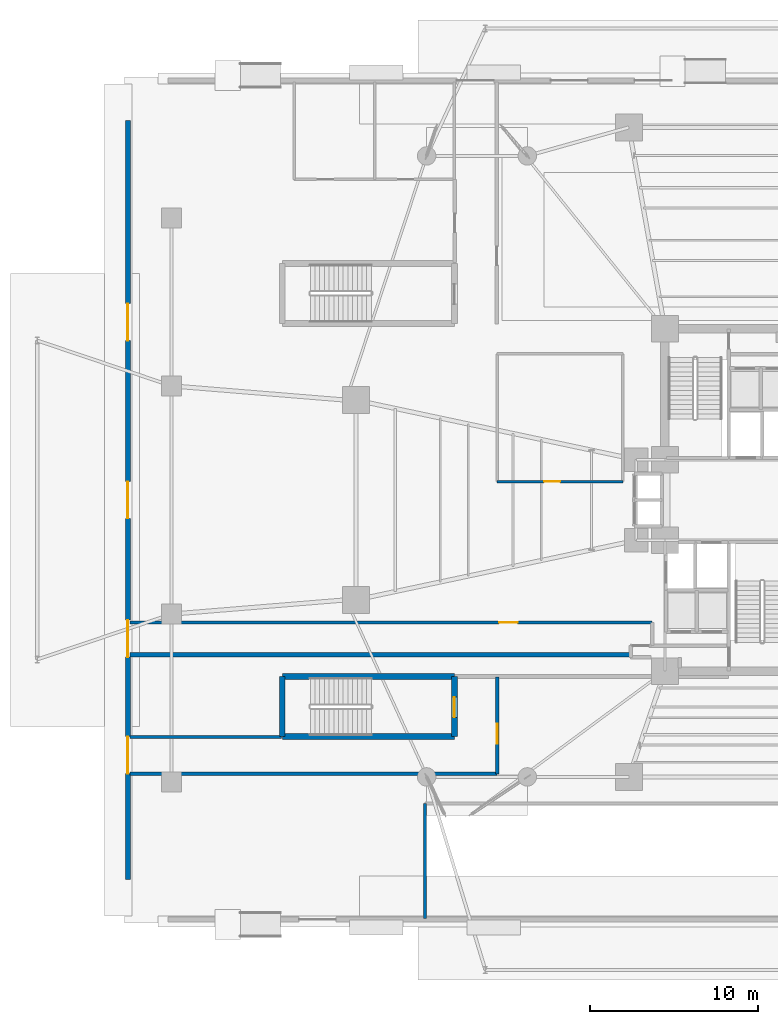
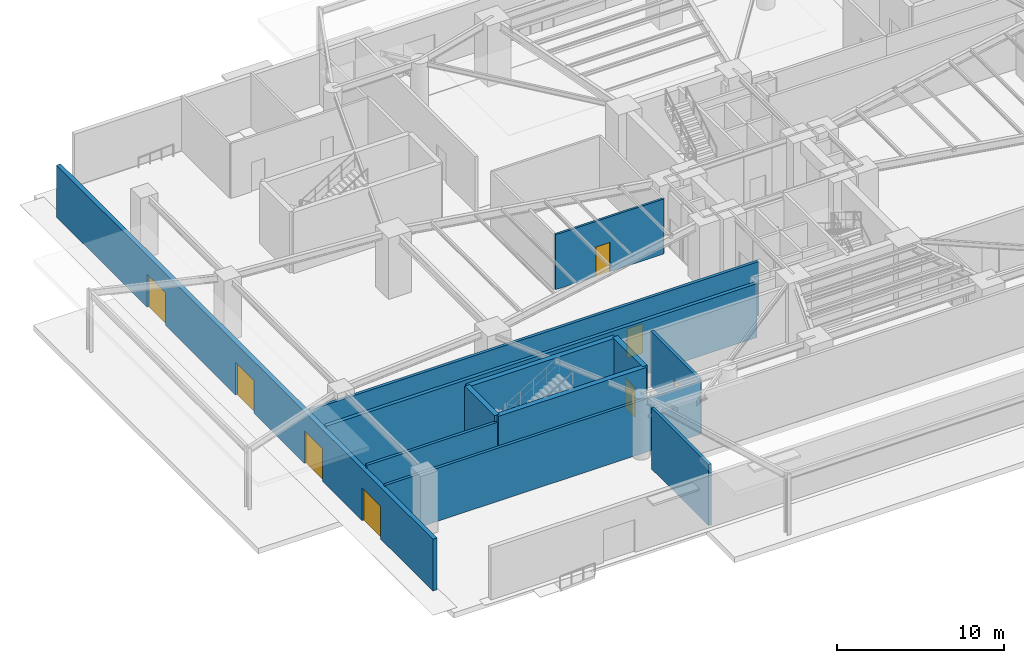
# One storey, part 16 of 31: 12 walls, 8 doors, 8 openings.
"""IFC4 building model written with IfcOpenShell, lengths in metres."""

from ifc_helpers import new_model, si_unit, direction, frame, frame_2d, origin, origin_2d, place, context, subcontext, project, spatial, rectangle, extrude, source, transform, mapped, material, layer, layer_set, type_object, element, fill, save


model = new_model("IFC4")

# Units and contexts
model_context = context("Model", 3, precision=1e-05, world=origin(), true_north=direction((0.0, 1.0)))
body_context = subcontext(model_context, "Body", "Model", "MODEL_VIEW")
ifc_project = project(units=[si_unit("LENGTHUNIT", "METRE"), si_unit("AREAUNIT", "SQUARE_METRE"), si_unit("VOLUMEUNIT", "CUBIC_METRE"), si_unit("PLANEANGLEUNIT", "RADIAN"), si_unit("MASSUNIT", "GRAM", prefix="KILO")], contexts=[model_context])

# Site, building, storey
site_placement = place(None, origin())
site = spatial("IfcSite", under=ifc_project, at=site_placement, CompositionType="ELEMENT")
building_placement = place(site_placement, origin())
building = spatial("IfcBuilding", under=site, at=building_placement, Name="Sahyath Konkavel Grand Hotel", CompositionType="ELEMENT")
storey_placement = place(building_placement, origin())
storey = spatial("IfcBuildingStorey", under=building, at=storey_placement, Name="L00", CompositionType="ELEMENT", Elevation=0.0)

# Walls
ifc_material_1 = material(Name="Concrete C40/50", Category="concrete")
ifc_layer_1 = layer(ifc_material_1, 0.35009765625)
ifc_layer_set_1 = layer_set([ifc_layer_1], Name="Concrete C40/50")
wall_type_1 = type_object("IfcWallType", Name="CWALL-350", PredefinedType="SHEAR", material=ifc_layer_set_1)
for number, where, z_axis, x_axis, name in (
    (1, (-26.60009765625, -10.52001953125, 0.0), (0.0, 0.0, 1.0), (1.0, 0.0, 0.0), "L00 Partition ST-P3-N"),
    (2, (-26.60009765625, -14.10009765625, 0.0), (0.0, 0.0, 1.0), (1.0, 0.0, 0.0), "L00 Partition ST-P3-S"),
):
    element("IfcWall", number, at=place(storey_placement, frame(where, z_axis=z_axis, x_axis=x_axis)), inside=storey, type_object=wall_type_1, Name=name, PredefinedType="SHEAR", context=body_context, shape_type="SweptSolid", body=[
        extrude(rectangle(XDim=10.25, YDim=0.35009765625, at=frame_2d((5.125, 0.0))), origin(), (0.0, 0.0, 1.0), 4.47998046875),
    ])
wall_1_placement = place(storey_placement, frame((-26.60009765625, -14.10009765625, 0.0), z_axis=(0.0, 0.0, 1.0), x_axis=(0.0, 1.0, 0.0)))
element("IfcWall", 3, at=wall_1_placement, inside=storey, type_object=wall_type_1, Name="L00 Partition ST-P3-W", PredefinedType="SHEAR", context=body_context, shape_type="SweptSolid", body=[
    extrude(rectangle(XDim=3.580078125, YDim=0.35009765625, at=frame_2d((1.7900390625, 0.0))), origin(), (0.0, 0.0, 1.0), 4.47998046875),
])

# Wall, opening, door
wall_2_placement = place(storey_placement, frame((-16.35009765625, -14.10009765625, 0.0), z_axis=(0.0, 0.0, 1.0), x_axis=(0.0, 1.0, 0.0)))
wall_2 = element("IfcWall", 4, at=wall_2_placement, inside=storey, type_object=wall_type_1, Name="L00 Partition ST-P3-E", PredefinedType="SHEAR", context=body_context, shape_type="SweptSolid", body=[
    extrude(rectangle(XDim=3.580078125, YDim=0.35009765625, at=frame_2d((1.7900390625, 0.0))), origin(), (0.0, 0.0, 1.0), 4.47998046875),
])
opening_1_placement = place(wall_2_placement, frame((1.14990234375, 0.0, 0.0)))
opening_1 = element("IfcOpeningElement", 5, at=opening_1_placement, cuts=wall_2, Name="Opening D-F12A", PredefinedType="OPENING", context=body_context, shape_type="SweptSolid", body=[
    extrude(rectangle(XDim=1.199951171875, YDim=2.199951171875, at=frame_2d((0.60009765625, 1.10009765625))), frame((0.0, 0.18505859375, 0.0), z_axis=(0.0, -1.0, 0.0), x_axis=(1.0, 0.0, 0.0)), (0.0, 0.0, 1.0), 0.3701171875),
])
ifc_material_2 = material(Name="Steel E350 Fire Door", Category="steel")
door_type_1 = type_object("IfcDoorType", Name="DR-FD120-1200", OperationType="NOTDEFINED", PredefinedType="DOOR", material=ifc_material_2)
shared_shape_1 = source(origin(), body_context, "Body", "SweptSolid", [
    extrude(rectangle(XDim=1.199951171875, YDim=0.050048828125, at=origin_2d()), origin(), (0.0, 0.0, 1.0), 2.199951171875),
])
door_1_placement = place(opening_1_placement, frame((0.60009765625, 0.0, 0.0)))
door_1 = element("IfcDoor", 6, at=door_1_placement, inside=storey, type_object=door_type_1, Name="L00 ST-P3 Fire Door", OperationType="SINGLE_SWING_RIGHT", OverallHeight=2.199951171875, OverallWidth=1.199951171875, PredefinedType="DOOR", context=body_context, shape_type="MappedRepresentation", body=[
    mapped(shared_shape_1, transform((0.0, 0.0, 0.0), scale=1.0)),
])
fill(opening_1, door_1)

ifc_layer_2 = layer(ifc_material_1, 0.199951171875)
ifc_layer_set_2 = layer_set([ifc_layer_2], Name="Concrete C40/50")
wall_type_2 = type_object("IfcWallType", Name="WLL-CORE-200", PredefinedType="SOLIDWALL", material=ifc_layer_set_2)
wall_3_placement = place(storey_placement, frame((-35.679931640625, -7.300048828125, 0.0), z_axis=(0.0, 0.0, 1.0), x_axis=(1.0, 0.0, 0.0)))
wall_3 = element("IfcWall", 7, at=wall_3_placement, inside=storey, type_object=wall_type_2, Name="L00 Partition L00-EXP-ST2N", PredefinedType="SOLIDWALL", context=body_context, shape_type="SweptSolid", body=[
    extrude(rectangle(XDim=31.119873046875, YDim=0.199951171875, at=frame_2d((15.56005859375, 0.0))), origin(), (0.0, 0.0, 1.0), 3.949951171875),
])
opening_2_placement = place(wall_3_placement, frame((22.0, 0.0, 0.0)))
opening_2 = element("IfcOpeningElement", 8, at=opening_2_placement, cuts=wall_3, Name="Opening D-F12B", PredefinedType="OPENING", context=body_context, shape_type="SweptSolid", body=[
    extrude(rectangle(XDim=1.10009765625, YDim=2.14990234375, at=frame_2d((0.550048828125, 1.074951171875))), frame((0.0, 0.10986328125, 0.0), z_axis=(0.0, -1.0, 0.0), x_axis=(1.0, 0.0, 0.0)), (0.0, 0.0, 1.0), 0.219970703125),
])
ifc_material_3 = material(Name="Steel E350 Smokeproof Fire Door", Category="steel")
door_type_2 = type_object("IfcDoorType", Name="DR-FD120-1100", OperationType="NOTDEFINED", PredefinedType="DOOR", material=ifc_material_3)
shared_shape_2 = source(origin(), body_context, "Body", "SweptSolid", [
    extrude(rectangle(XDim=1.10009765625, YDim=0.050048828125, at=origin_2d()), origin(), (0.0, 0.0, 1.0), 2.14990234375),
])
door_2_placement = place(opening_2_placement, frame((0.550048828125, 0.0, 0.0)))
door_2 = element("IfcDoor", 9, at=door_2_placement, inside=storey, type_object=door_type_2, Name="L00 Door L00-EXP-ST2D", OperationType="SINGLE_SWING_RIGHT", OverallHeight=2.14990234375, OverallWidth=1.10009765625, PredefinedType="DOOR", context=body_context, shape_type="MappedRepresentation", body=[
    mapped(shared_shape_2, transform((0.0, 0.0, 0.0), scale=1.0)),
])
fill(opening_2, door_2)

wall_4_placement = place(storey_placement, frame((-13.800048828125, -16.320068359375, 0.0), z_axis=(0.0, 0.0, 1.0), x_axis=(0.0, 1.0, 0.0)))
wall_4 = element("IfcWall", 10, at=wall_4_placement, inside=storey, type_object=wall_type_2, Name="L00 Partition L00-EXP3-E", PredefinedType="SOLIDWALL", context=body_context, shape_type="SweptSolid", body=[
    extrude(rectangle(XDim=5.77001953125, YDim=0.199951171875, at=frame_2d((2.885009765625, 0.0))), origin(), (0.0, 0.0, 1.0), 4.030029296875),
])
opening_3_placement = place(wall_4_placement, frame((1.800048828125, 0.0, 0.0)))
opening_3 = element("IfcOpeningElement", 11, at=opening_3_placement, cuts=wall_4, Name="Opening D-F12A", PredefinedType="OPENING", context=body_context, shape_type="SweptSolid", body=[
    extrude(rectangle(XDim=1.199951171875, YDim=2.199951171875, at=frame_2d((0.60009765625, 1.10009765625))), frame((0.0, 0.10986328125, 0.0), z_axis=(0.0, -1.0, 0.0), x_axis=(1.0, 0.0, 0.0)), (0.0, 0.0, 1.0), 0.219970703125),
])
door_3_placement = place(opening_3_placement, frame((0.60009765625, 0.0, 0.0)))
door_3 = element("IfcDoor", 12, at=door_3_placement, inside=storey, type_object=door_type_1, Name="L00 Door L00-MLOCK-W", OperationType="SINGLE_SWING_LEFT", OverallHeight=2.199951171875, OverallWidth=1.199951171875, PredefinedType="DOOR", context=body_context, shape_type="MappedRepresentation", body=[
    mapped(shared_shape_1, transform((0.0, 0.0, 0.0), scale=1.0)),
])
fill(opening_3, door_3)

# Walls
wall_5_placement = place(storey_placement, frame((-35.679931640625, -16.320068359375, 0.0), z_axis=(0.0, 0.0, 1.0), x_axis=(1.0, 0.0, 0.0)))
element("IfcWall", 13, at=wall_5_placement, inside=storey, type_object=wall_type_2, Name="L00 Partition L00-EXP3-S", PredefinedType="SOLIDWALL", context=body_context, shape_type="SweptSolid", body=[
    extrude(rectangle(XDim=21.8798828125, YDim=0.199951171875, at=frame_2d((10.93994140625, 0.0))), origin(), (0.0, 0.0, 1.0), 3.89990234375),
])
wall_6_placement = place(storey_placement, frame((-35.679931640625, -14.1201171875, 0.0), z_axis=(0.0, 0.0, 1.0), x_axis=(1.0, 0.0, 0.0)))
element("IfcWall", 14, at=wall_6_placement, inside=storey, type_object=wall_type_2, Name="L00 Partition L00-EXP3-N", PredefinedType="SOLIDWALL", context=body_context, shape_type="SweptSolid", body=[
    extrude(rectangle(XDim=9.030029296875, YDim=0.199951171875, at=frame_2d((4.51513671875, 0.0))), origin(), (0.0, 0.0, 1.0), 4.030029296875),
])
wall_7_placement = place(storey_placement, frame((-18.10009765625, -24.949951171875, 0.0), z_axis=(0.0, 0.0, 1.0), x_axis=(0.0, 1.0, 0.0)))
element("IfcWall", 15, at=wall_7_placement, inside=storey, type_object=wall_type_2, Name="L00 Partition L00-RMP-W", PredefinedType="SOLIDWALL", context=body_context, shape_type="SweptSolid", body=[
    extrude(rectangle(XDim=6.869873046875, YDim=0.199951171875, at=frame_2d((3.43505859375, 0.0))), origin(), (0.0, 0.0, 1.0), 4.47998046875),
])
ifc_layer_3 = layer(ifc_material_1, 0.25)
ifc_layer_set_3 = layer_set([ifc_layer_3], Name="Concrete C40/50")
wall_type_3 = type_object("IfcWallType", Name="WLL-FIRE-240", PredefinedType="SOLIDWALL", material=ifc_layer_set_3)
wall_8_placement = place(storey_placement, frame((-35.679931640625, -9.219970703125, 0.0), z_axis=(0.0, 0.0, 1.0), x_axis=(1.0, 0.0, 0.0)))
element("IfcWall", 16, at=wall_8_placement, inside=storey, type_object=wall_type_3, Name="L00 Partition L00-MBAR-W", PredefinedType="SOLIDWALL", context=body_context, shape_type="SweptSolid", body=[
    extrude(rectangle(XDim=29.83984375, YDim=0.25, at=frame_2d((14.919921875, 0.0))), origin(), (0.0, 0.0, 1.0), 3.949951171875),
])

# Wall, openings, doors
ifc_material_4 = material(Name="Warm Buff Sandstone Insulated Concrete C40/50", Category="masonry")
ifc_layer_4 = layer(ifc_material_4, 0.300048828125)
ifc_layer_set_4 = layer_set([ifc_layer_4], Name="Warm Buff Sandstone Insulated Concrete C40/50")
wall_type_4 = type_object("IfcWallType", Name="WLL-L00-PORTAL", PredefinedType="STANDARD", material=ifc_layer_set_4)
wall_9_placement = place(storey_placement, frame((-35.800048828125, -22.60009765625, 0.0), z_axis=(0.0, 0.0, 1.0), x_axis=(0.0, 1.0, 0.0)))
wall_9 = element("IfcWall", 17, at=wall_9_placement, inside=storey, type_object=wall_type_4, Name="L00 West Concourse and Exit Portal Wall", PredefinedType="STANDARD", context=body_context, shape_type="SweptSolid", body=[
    extrude(rectangle(XDim=45.2001953125, YDim=0.300048828125, at=frame_2d((22.60009765625, 0.0))), origin(), (0.0, 0.0, 1.0), 3.800048828125),
])
opening_4_placement = place(wall_9_placement, frame((6.300048828125, 0.0, 0.0)))
opening_4 = element("IfcOpeningElement", 18, at=opening_4_placement, cuts=wall_9, Name="Opening D-EX22", PredefinedType="OPENING", context=body_context, shape_type="SweptSolid", body=[
    extrude(rectangle(XDim=2.199951171875, YDim=2.39990234375, at=frame_2d((1.10009765625, 1.199951171875))), frame((0.0, 0.16015625, 0.0), z_axis=(0.0, -1.0, 0.0), x_axis=(1.0, 0.0, 0.0)), (0.0, 0.0, 1.0), 0.320068359375),
])
opening_5_placement = place(wall_9_placement, frame((13.239990234375, 0.0, 0.0)))
opening_5 = element("IfcOpeningElement", 19, at=opening_5_placement, cuts=wall_9, Name="Opening D-EX22", PredefinedType="OPENING", context=body_context, shape_type="SweptSolid", body=[
    extrude(rectangle(XDim=2.199951171875, YDim=2.39990234375, at=frame_2d((1.10009765625, 1.199951171875))), frame((0.0, 0.16015625, 0.0), z_axis=(0.0, -1.0, 0.0), x_axis=(1.0, 0.0, 0.0)), (0.0, 0.0, 1.0), 0.320068359375),
])
opening_6_placement = place(wall_9_placement, frame((21.5, 0.0, 0.0)))
opening_6 = element("IfcOpeningElement", 20, at=opening_6_placement, cuts=wall_9, Name="Opening D-EX22", PredefinedType="OPENING", context=body_context, shape_type="SweptSolid", body=[
    extrude(rectangle(XDim=2.199951171875, YDim=2.39990234375, at=frame_2d((1.10009765625, 1.199951171875))), frame((0.0, 0.16015625, 0.0), z_axis=(0.0, -1.0, 0.0), x_axis=(1.0, 0.0, 0.0)), (0.0, 0.0, 1.0), 0.320068359375),
])
opening_7_placement = place(wall_9_placement, frame((32.10009765625, 0.0, 0.0)))
opening_7 = element("IfcOpeningElement", 21, at=opening_7_placement, cuts=wall_9, Name="Opening D-EX22", PredefinedType="OPENING", context=body_context, shape_type="SweptSolid", body=[
    extrude(rectangle(XDim=2.199951171875, YDim=2.39990234375, at=frame_2d((1.10009765625, 1.199951171875))), frame((0.0, 0.16015625, 0.0), z_axis=(0.0, -1.0, 0.0), x_axis=(1.0, 0.0, 0.0)), (0.0, 0.0, 1.0), 0.320068359375),
])
ifc_material_5 = material(Name="Anodised Bronze Aluminium and Low-E Glazing", Category="aluminium")
door_type_3 = type_object("IfcDoorType", Name="DR-EXIT-2200", OperationType="NOTDEFINED", PredefinedType="DOOR", material=ifc_material_5)
shared_shape_3 = source(origin(), body_context, "Body", "SweptSolid", [
    extrude(rectangle(XDim=2.199951171875, YDim=0.050048828125, at=origin_2d()), origin(), (0.0, 0.0, 1.0), 2.39990234375),
])
door_4_placement = place(opening_4_placement, frame((1.10009765625, 0.0, 0.0)))
door_4 = element("IfcDoor", 22, at=door_4_placement, inside=storey, type_object=door_type_3, Name="L00 West Pedestrian Final Exit Door W1", OperationType="DOUBLE_DOOR_SINGLE_SWING", OverallHeight=2.39990234375, OverallWidth=2.199951171875, PredefinedType="DOOR", context=body_context, shape_type="MappedRepresentation", body=[
    mapped(shared_shape_3, transform((0.0, 0.0, 0.0), scale=1.0)),
])
fill(opening_4, door_4)
door_5_placement = place(opening_5_placement, frame((1.10009765625, 0.0, 0.0)))
door_5 = element("IfcDoor", 23, at=door_5_placement, inside=storey, type_object=door_type_3, Name="L00 West Pedestrian Final Exit Door W2", OperationType="DOUBLE_DOOR_SINGLE_SWING", OverallHeight=2.39990234375, OverallWidth=2.199951171875, PredefinedType="DOOR", context=body_context, shape_type="MappedRepresentation", body=[
    mapped(shared_shape_3, transform((0.0, 0.0, 0.0), scale=1.0)),
])
fill(opening_5, door_5)
door_6_placement = place(opening_6_placement, frame((1.10009765625, 0.0, 0.0)))
door_6 = element("IfcDoor", 24, at=door_6_placement, inside=storey, type_object=door_type_3, Name="L00 West Pedestrian Final Exit Door W3", OperationType="DOUBLE_DOOR_SINGLE_SWING", OverallHeight=2.39990234375, OverallWidth=2.199951171875, PredefinedType="DOOR", context=body_context, shape_type="MappedRepresentation", body=[
    mapped(shared_shape_3, transform((0.0, 0.0, 0.0), scale=1.0)),
])
fill(opening_6, door_6)
door_7_placement = place(opening_7_placement, frame((1.10009765625, 0.0, 0.0)))
door_7 = element("IfcDoor", 25, at=door_7_placement, inside=storey, type_object=door_type_3, Name="L00 West Pedestrian Final Exit Door W4", OperationType="DOUBLE_DOOR_SINGLE_SWING", OverallHeight=2.39990234375, OverallWidth=2.199951171875, PredefinedType="DOOR", context=body_context, shape_type="MappedRepresentation", body=[
    mapped(shared_shape_3, transform((0.0, 0.0, 0.0), scale=1.0)),
])
fill(opening_7, door_7)

# Wall, opening, door
ifc_material_6 = material(Name="Fire-Rated Gypsum Plasterboard Partition")
ifc_layer_5 = layer(ifc_material_6, 0.14990234375)
ifc_layer_set_5 = layer_set([ifc_layer_5], Name="Fire-Rated Gypsum Plasterboard Partition")
wall_type_5 = type_object("IfcWallType", Name="WLL-PART-150", PredefinedType="PARTITIONING", material=ifc_layer_set_5)
wall_10_placement = place(storey_placement, frame((-13.800048828125, 1.10009765625, 0.0), z_axis=(0.0, 0.0, 1.0), x_axis=(1.0, 0.0, 0.0)))
wall_10 = element("IfcWall", 26, at=wall_10_placement, inside=storey, type_object=wall_type_5, Name="L00 Partition L00-LG-S", PredefinedType="PARTITIONING", context=body_context, shape_type="SweptSolid", body=[
    extrude(rectangle(XDim=7.5, YDim=0.14990234375, at=frame_2d((3.75, 0.0))), origin(), (0.0, 0.0, 1.0), 4.030029296875),
])
opening_8_placement = place(wall_10_placement, frame((2.800048828125, 0.0, 0.0)))
opening_8 = element("IfcOpeningElement", 27, at=opening_8_placement, cuts=wall_10, Name="Opening D-IN95", PredefinedType="OPENING", context=body_context, shape_type="SweptSolid", body=[
    extrude(rectangle(XDim=0.949951171875, YDim=2.14990234375, at=frame_2d((0.47509765625, 1.074951171875))), frame((0.0, 0.0849609375, 0.0), z_axis=(0.0, -1.0, 0.0), x_axis=(1.0, 0.0, 0.0)), (0.0, 0.0, 1.0), 0.169921875),
])
ifc_material_7 = material(Name="Acoustic Timber Interior Door", Category="wood")
door_type_4 = type_object("IfcDoorType", Name="DR-INT-950", OperationType="NOTDEFINED", PredefinedType="DOOR", material=ifc_material_7)
shared_shape_4 = source(origin(), body_context, "Body", "SweptSolid", [
    extrude(rectangle(XDim=0.949951171875, YDim=0.050048828125, at=origin_2d()), origin(), (0.0, 0.0, 1.0), 2.14990234375),
])
door_8_placement = place(opening_8_placement, frame((0.47509765625, 0.0, 0.0)))
door_8 = element("IfcDoor", 28, at=door_8_placement, inside=storey, type_object=door_type_4, Name="L00 Door L00-LG-D", OperationType="SINGLE_SWING_LEFT", OverallHeight=2.14990234375, OverallWidth=0.949951171875, PredefinedType="DOOR", context=body_context, shape_type="MappedRepresentation", body=[
    mapped(shared_shape_4, transform((0.0, 0.0, 0.0), scale=1.0)),
])
fill(opening_8, door_8)

save(model, "model.ifc")
